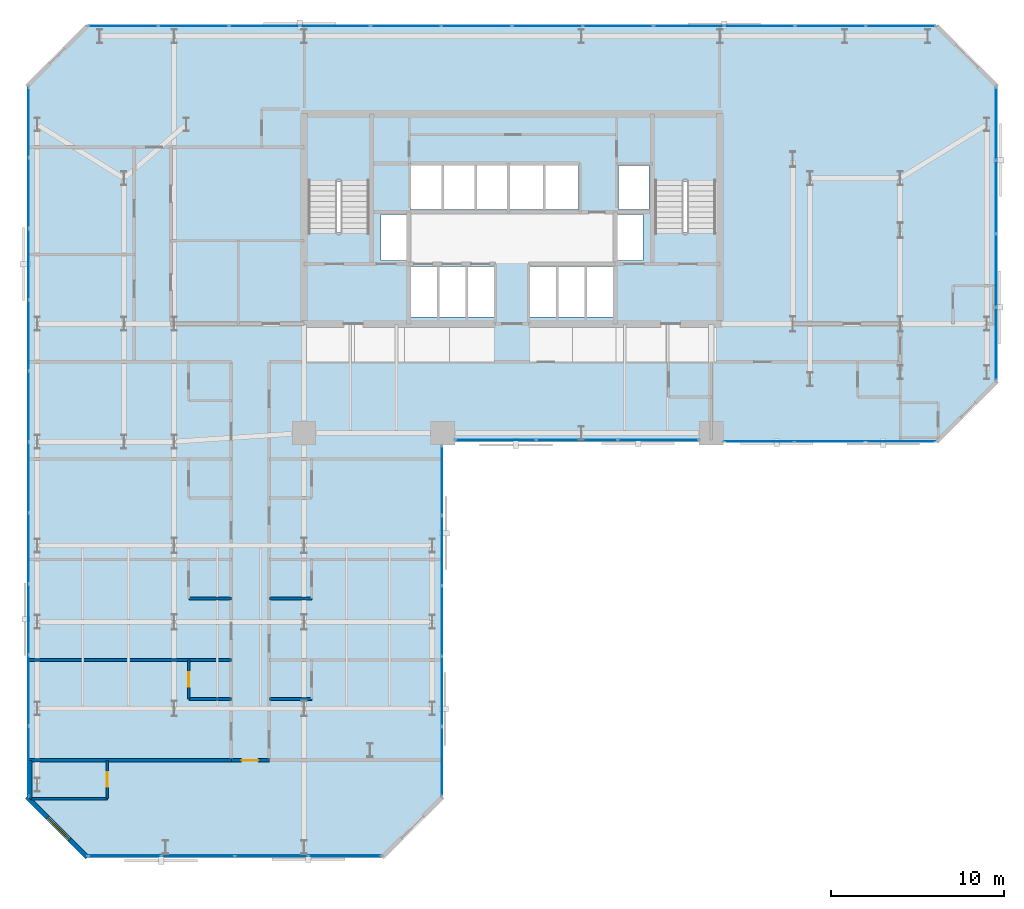
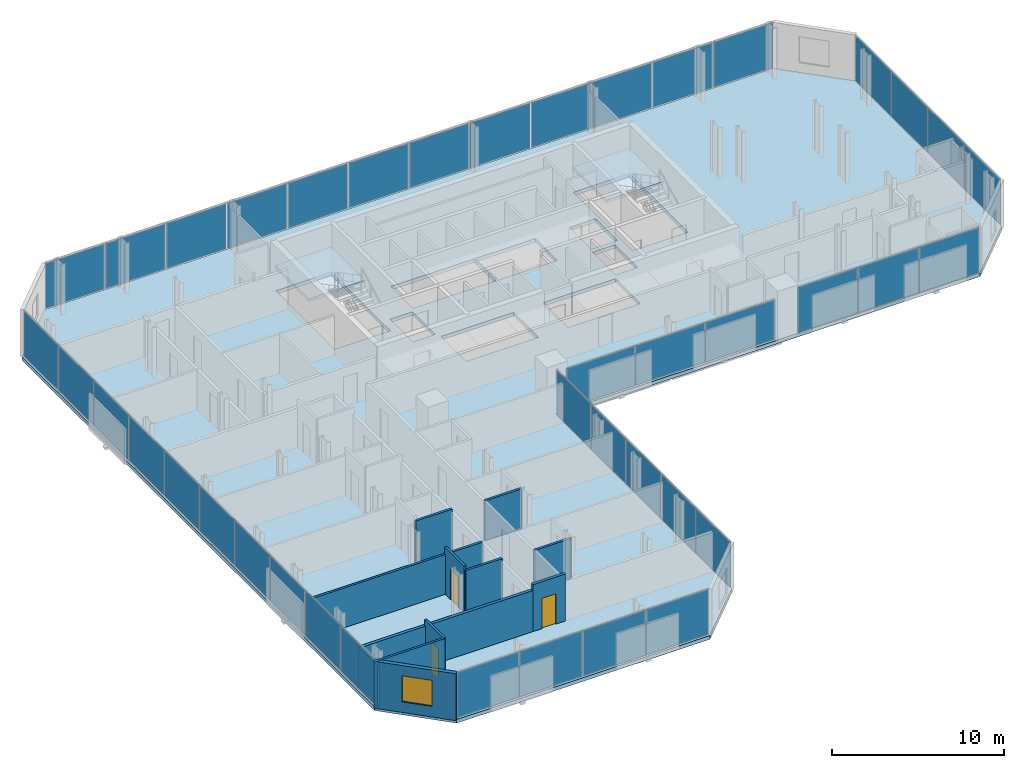
# One storey, part 28 of 33: 41 plates, 12 walls, 3 doors, 3 slabs, 1 window, 4 openings, 9 elements without a shape of their own.
"""IFC4 building model written with IfcOpenShell, lengths in metres."""

from ifc_helpers import new_model, si_unit, direction, frame, frame_2d, origin, origin_2d, place, context, subcontext, project, spatial, polyline, rectangle, outline, extrude, material, layer, layer_set, type_object, element, fill, aggregate, save


model = new_model("IFC4")

# Units and contexts
model_context = context("Model", 3, precision=1e-05, world=origin(), true_north=direction((0.0, 1.0)))
body_context = subcontext(model_context, "Body", "Model", "MODEL_VIEW")
ifc_project = project(units=[si_unit("LENGTHUNIT", "METRE"), si_unit("AREAUNIT", "SQUARE_METRE"), si_unit("VOLUMEUNIT", "CUBIC_METRE"), si_unit("PLANEANGLEUNIT", "RADIAN"), si_unit("MASSUNIT", "GRAM", prefix="KILO")], contexts=[model_context])

# Site, building, storey
site_placement = place(None, origin())
site = spatial("IfcSite", under=ifc_project, at=site_placement, CompositionType="ELEMENT")
building_placement = place(site_placement, origin())
building = spatial("IfcBuilding", under=site, at=building_placement, Name="Catumbela Crestline Tower", CompositionType="ELEMENT")
storey_placement = place(building_placement, frame((0.0, 0.0, 72.6)))
storey = spatial("IfcBuildingStorey", under=building, at=storey_placement, Name="L18", CompositionType="ELEMENT", Elevation=72.6)

# Curtain wall, plates
ifc_material_1 = material(Name="Aluminium alloy AW-6060-T66", Category="aluminium")
ifc_layer_1 = layer(ifc_material_1, 0.18, Name="Aluminium alloy AW-6060-T66")
ifc_layer_set_1 = layer_set([ifc_layer_1], Name="Aluminium alloy AW-6060-T66")
curtain_wall_type = type_object("IfcCurtainWallType", Name="CWU-Z1", PredefinedType="USERDEFINED", material=ifc_layer_set_1)
curtain_wall_1_placement = place(storey_placement, origin())
curtain_wall_1 = element("IfcCurtainWall", 1, at=curtain_wall_1_placement, inside=storey, type_object=curtain_wall_type, Name="L18 Unitised Curtain Wall CW-L18-E0S1", ObjectType="UNITISED", PredefinedType="USERDEFINED")
ifc_material_2 = material(Name="Low-E laminated solar-control double glazing", Category="glass")
ifc_layer_2 = layer(ifc_material_2, 0.034, Name="Low-E laminated solar-control double glazing")
ifc_layer_set_2 = layer_set([ifc_layer_2], Name="Low-E laminated solar-control double glazing")
plate_type = type_object("IfcPlateType", Name="PNL-GLZ-Z1", PredefinedType="CURTAIN_PANEL", material=ifc_layer_set_2)
plate_1_placement = place(storey_placement, frame((5.6412, 0.1, 0.06), z_axis=(0.0, 0.0, 1.0), x_axis=(1.0, 0.0, 0.0)))
plate_1 = element("IfcPlate", 2, at=plate_1_placement, type_object=plate_type, Name="CWU-Z1 panel 1.1", PredefinedType="CURTAIN_PANEL", context=body_context, shape_type="SweptSolid", body=[
    extrude(rectangle(XDim=4.1525, YDim=0.034, at=origin_2d()), origin(), (0.0, 0.0, 1.0), 3.21),
])
plate_2_placement = place(storey_placement, frame((9.875, 0.1, 0.06), z_axis=(0.0, 0.0, 1.0), x_axis=(1.0, 0.0, 0.0)))
plate_2 = element("IfcPlate", 3, at=plate_2_placement, type_object=plate_type, Name="CWU-Z1 panel 2.1", PredefinedType="CURTAIN_PANEL", context=body_context, shape_type="SweptSolid", body=[
    extrude(rectangle(XDim=4.185, YDim=0.034, at=origin_2d()), origin(), (0.0, 0.0, 1.0), 3.21),
])
plate_3_placement = place(storey_placement, frame((14.125, 0.1, 0.06), z_axis=(0.0, 0.0, 1.0), x_axis=(1.0, 0.0, 0.0)))
plate_3 = element("IfcPlate", 4, at=plate_3_placement, type_object=plate_type, Name="CWU-Z1 panel 3.1", PredefinedType="CURTAIN_PANEL", context=body_context, shape_type="SweptSolid", body=[
    extrude(rectangle(XDim=4.185, YDim=0.034, at=origin_2d()), origin(), (0.0, 0.0, 1.0), 3.21),
])
plate_4_placement = place(storey_placement, frame((18.3588, 0.1, 0.06), z_axis=(0.0, 0.0, 1.0), x_axis=(1.0, 0.0, 0.0)))
plate_4 = element("IfcPlate", 5, at=plate_4_placement, type_object=plate_type, Name="CWU-Z1 panel 4.1", PredefinedType="CURTAIN_PANEL", context=body_context, shape_type="SweptSolid", body=[
    extrude(rectangle(XDim=4.1525, YDim=0.034, at=origin_2d()), origin(), (0.0, 0.0, 1.0), 3.21),
])
aggregate(curtain_wall_1, [plate_1, plate_2, plate_3, plate_4])

curtain_wall_2_placement = place(storey_placement, origin())
curtain_wall_2 = element("IfcCurtainWall", 6, at=curtain_wall_2_placement, inside=storey, type_object=curtain_wall_type, Name="L18 Unitised Curtain Wall CW-L18-E2S1", ObjectType="UNITISED", PredefinedType="USERDEFINED")
plate_5_placement = place(storey_placement, frame((23.95, 5.5462, 0.06), z_axis=(0.0, 0.0, 1.0), x_axis=(0.0, 1.0, 0.0)))
plate_5 = element("IfcPlate", 7, at=plate_5_placement, type_object=plate_type, Name="CWU-Z1 panel 1.1", PredefinedType="CURTAIN_PANEL", context=body_context, shape_type="SweptSolid", body=[
    extrude(rectangle(XDim=3.9625, YDim=0.034, at=origin_2d()), origin(), (0.0, 0.0, 1.0), 3.21),
])
plate_6_placement = place(storey_placement, frame((23.95, 9.59, 0.06), z_axis=(0.0, 0.0, 1.0), x_axis=(0.0, 1.0, 0.0)))
plate_6 = element("IfcPlate", 8, at=plate_6_placement, type_object=plate_type, Name="CWU-Z1 panel 2.1", PredefinedType="CURTAIN_PANEL", context=body_context, shape_type="SweptSolid", body=[
    extrude(rectangle(XDim=3.995, YDim=0.034, at=origin_2d()), origin(), (0.0, 0.0, 1.0), 3.21),
])
plate_7_placement = place(storey_placement, frame((23.95, 13.65, 0.06), z_axis=(0.0, 0.0, 1.0), x_axis=(0.0, 1.0, 0.0)))
plate_7 = element("IfcPlate", 9, at=plate_7_placement, type_object=plate_type, Name="CWU-Z1 panel 3.1", PredefinedType="CURTAIN_PANEL", context=body_context, shape_type="SweptSolid", body=[
    extrude(rectangle(XDim=3.995, YDim=0.034, at=origin_2d()), origin(), (0.0, 0.0, 1.0), 3.21),
])
plate_8_placement = place(storey_placement, frame((23.95, 17.71, 0.06), z_axis=(0.0, 0.0, 1.0), x_axis=(0.0, 1.0, 0.0)))
plate_8 = element("IfcPlate", 10, at=plate_8_placement, type_object=plate_type, Name="CWU-Z1 panel 4.1", PredefinedType="CURTAIN_PANEL", context=body_context, shape_type="SweptSolid", body=[
    extrude(rectangle(XDim=3.995, YDim=0.034, at=origin_2d()), origin(), (0.0, 0.0, 1.0), 3.21),
])
plate_9_placement = place(storey_placement, frame((23.95, 21.7538, 0.06), z_axis=(0.0, 0.0, 1.0), x_axis=(0.0, 1.0, 0.0)))
plate_9 = element("IfcPlate", 11, at=plate_9_placement, type_object=plate_type, Name="CWU-Z1 panel 5.1", PredefinedType="CURTAIN_PANEL", context=body_context, shape_type="SweptSolid", body=[
    extrude(rectangle(XDim=3.9625, YDim=0.034, at=origin_2d()), origin(), (0.0, 0.0, 1.0), 3.21),
])
aggregate(curtain_wall_2, [plate_5, plate_6, plate_7, plate_8, plate_9])

curtain_wall_3_placement = place(storey_placement, origin())
curtain_wall_3 = element("IfcCurtainWall", 12, at=curtain_wall_3_placement, inside=storey, type_object=curtain_wall_type, Name="L18 Unitised Curtain Wall CW-L18-E3S1", ObjectType="UNITISED", PredefinedType="USERDEFINED")
plate_10_placement = place(storey_placement, frame((27.0662, 24.1, 0.06), z_axis=(0.0, 0.0, 1.0), x_axis=(1.0, 0.0, 0.0)))
plate_10 = element("IfcPlate", 13, at=plate_10_placement, type_object=plate_type, Name="CWU-Z1 panel 1.1", PredefinedType="CURTAIN_PANEL", context=body_context, shape_type="SweptSolid", body=[
    extrude(rectangle(XDim=4.6025, YDim=0.034, at=origin_2d()), origin(), (0.0, 0.0, 1.0), 2.8),
])
plate_11_placement = place(storey_placement, frame((31.75, 24.1, 0.06), z_axis=(0.0, 0.0, 1.0), x_axis=(1.0, 0.0, 0.0)))
plate_11 = element("IfcPlate", 14, at=plate_11_placement, type_object=plate_type, Name="CWU-Z1 panel 2.1", PredefinedType="CURTAIN_PANEL", context=body_context, shape_type="SweptSolid", body=[
    extrude(rectangle(XDim=4.635, YDim=0.034, at=origin_2d()), origin(), (0.0, 0.0, 1.0), 2.8),
])
plate_12_placement = place(storey_placement, frame((36.4338, 24.1, 0.06), z_axis=(0.0, 0.0, 1.0), x_axis=(1.0, 0.0, 0.0)))
plate_12 = element("IfcPlate", 15, at=plate_12_placement, type_object=plate_type, Name="CWU-Z1 panel 3.1", PredefinedType="CURTAIN_PANEL", context=body_context, shape_type="SweptSolid", body=[
    extrude(rectangle(XDim=4.6025, YDim=0.034, at=origin_2d()), origin(), (0.0, 0.0, 1.0), 2.8),
])
aggregate(curtain_wall_3, [plate_10, plate_11, plate_12])

curtain_wall_4_placement = place(storey_placement, origin())
curtain_wall_4 = element("IfcCurtainWall", 16, at=curtain_wall_4_placement, inside=storey, type_object=curtain_wall_type, Name="L18 Unitised Curtain Wall CW-L18-E3S2", ObjectType="UNITISED", PredefinedType="USERDEFINED")
plate_13_placement = place(storey_placement, frame((42.2662, 24.0, 0.06), z_axis=(0.0, 0.0, 1.0), x_axis=(1.0, 0.0, 0.0)))
plate_13 = element("IfcPlate", 17, at=plate_13_placement, type_object=plate_type, Name="CWU-Z1 panel 1.1", PredefinedType="CURTAIN_PANEL", context=body_context, shape_type="SweptSolid", body=[
    extrude(rectangle(XDim=4.0025, YDim=0.034, at=origin_2d()), origin(), (0.0, 0.0, 1.0), 3.21),
])
plate_14_placement = place(storey_placement, frame((46.35, 24.0, 0.06), z_axis=(0.0, 0.0, 1.0), x_axis=(1.0, 0.0, 0.0)))
plate_14 = element("IfcPlate", 18, at=plate_14_placement, type_object=plate_type, Name="CWU-Z1 panel 2.1", PredefinedType="CURTAIN_PANEL", context=body_context, shape_type="SweptSolid", body=[
    extrude(rectangle(XDim=4.035, YDim=0.034, at=origin_2d()), origin(), (0.0, 0.0, 1.0), 3.21),
])
plate_15_placement = place(storey_placement, frame((50.4338, 24.0, 0.06), z_axis=(0.0, 0.0, 1.0), x_axis=(1.0, 0.0, 0.0)))
plate_15 = element("IfcPlate", 19, at=plate_15_placement, type_object=plate_type, Name="CWU-Z1 panel 3.1", PredefinedType="CURTAIN_PANEL", context=body_context, shape_type="SweptSolid", body=[
    extrude(rectangle(XDim=4.0025, YDim=0.034, at=origin_2d()), origin(), (0.0, 0.0, 1.0), 3.21),
])
aggregate(curtain_wall_4, [plate_13, plate_14, plate_15])

curtain_wall_5_placement = place(storey_placement, origin())
curtain_wall_5 = element("IfcCurtainWall", 20, at=curtain_wall_5_placement, inside=storey, type_object=curtain_wall_type, Name="L18 Unitised Curtain Wall CW-L18-E5S1", ObjectType="UNITISED", PredefinedType="USERDEFINED")
plate_16_placement = place(storey_placement, frame((55.95, 29.6412, 0.06), z_axis=(0.0, 0.0, 1.0), x_axis=(0.0, 1.0, 0.0)))
plate_16 = element("IfcPlate", 21, at=plate_16_placement, type_object=plate_type, Name="CWU-Z1 panel 1.1", PredefinedType="CURTAIN_PANEL", context=body_context, shape_type="SweptSolid", body=[
    extrude(rectangle(XDim=4.1525, YDim=0.034, at=origin_2d()), origin(), (0.0, 0.0, 1.0), 3.21),
])
plate_17_placement = place(storey_placement, frame((55.95, 33.875, 0.06), z_axis=(0.0, 0.0, 1.0), x_axis=(0.0, 1.0, 0.0)))
plate_17 = element("IfcPlate", 22, at=plate_17_placement, type_object=plate_type, Name="CWU-Z1 panel 2.1", PredefinedType="CURTAIN_PANEL", context=body_context, shape_type="SweptSolid", body=[
    extrude(rectangle(XDim=4.185, YDim=0.034, at=origin_2d()), origin(), (0.0, 0.0, 1.0), 3.21),
])
plate_18_placement = place(storey_placement, frame((55.95, 38.125, 0.06), z_axis=(0.0, 0.0, 1.0), x_axis=(0.0, 1.0, 0.0)))
plate_18 = element("IfcPlate", 23, at=plate_18_placement, type_object=plate_type, Name="CWU-Z1 panel 3.1", PredefinedType="CURTAIN_PANEL", context=body_context, shape_type="SweptSolid", body=[
    extrude(rectangle(XDim=4.185, YDim=0.034, at=origin_2d()), origin(), (0.0, 0.0, 1.0), 3.21),
])
plate_19_placement = place(storey_placement, frame((55.95, 42.3588, 0.06), z_axis=(0.0, 0.0, 1.0), x_axis=(0.0, 1.0, 0.0)))
plate_19 = element("IfcPlate", 24, at=plate_19_placement, type_object=plate_type, Name="CWU-Z1 panel 4.1", PredefinedType="CURTAIN_PANEL", context=body_context, shape_type="SweptSolid", body=[
    extrude(rectangle(XDim=4.1525, YDim=0.034, at=origin_2d()), origin(), (0.0, 0.0, 1.0), 3.21),
])
aggregate(curtain_wall_5, [plate_16, plate_17, plate_18, plate_19])

curtain_wall_6_placement = place(storey_placement, origin())
curtain_wall_6 = element("IfcCurtainWall", 25, at=curtain_wall_6_placement, inside=storey, type_object=curtain_wall_type, Name="L18 Unitised Curtain Wall CW-L18-E7S1", ObjectType="UNITISED", PredefinedType="USERDEFINED")
plate_20_placement = place(storey_placement, frame((50.4421, 48.0, 0.06), z_axis=(0.0, 0.0, 1.0), x_axis=(-1.0, 0.0, 0.0)))
plate_20 = element("IfcPlate", 26, at=plate_20_placement, type_object=plate_type, Name="CWU-Z1 panel 1.1", PredefinedType="CURTAIN_PANEL", context=body_context, shape_type="SweptSolid", body=[
    extrude(rectangle(XDim=3.9858, YDim=0.034, at=origin_2d()), origin(), (0.0, 0.0, 1.0), 3.21),
])
plate_21_placement = place(storey_placement, frame((46.375, 48.0, 0.06), z_axis=(0.0, 0.0, 1.0), x_axis=(-1.0, 0.0, 0.0)))
plate_21 = element("IfcPlate", 27, at=plate_21_placement, type_object=plate_type, Name="CWU-Z1 panel 2.1", PredefinedType="CURTAIN_PANEL", context=body_context, shape_type="SweptSolid", body=[
    extrude(rectangle(XDim=4.0183, YDim=0.034, at=origin_2d()), origin(), (0.0, 0.0, 1.0), 3.21),
])
plate_22_placement = place(storey_placement, frame((42.2917, 48.0, 0.06), z_axis=(0.0, 0.0, 1.0), x_axis=(-1.0, 0.0, 0.0)))
plate_22 = element("IfcPlate", 28, at=plate_22_placement, type_object=plate_type, Name="CWU-Z1 panel 3.1", PredefinedType="CURTAIN_PANEL", context=body_context, shape_type="SweptSolid", body=[
    extrude(rectangle(XDim=4.0183, YDim=0.034, at=origin_2d()), origin(), (0.0, 0.0, 1.0), 3.21),
])
plate_23_placement = place(storey_placement, frame((38.2083, 48.0, 0.06), z_axis=(0.0, 0.0, 1.0), x_axis=(-1.0, 0.0, 0.0)))
plate_23 = element("IfcPlate", 29, at=plate_23_placement, type_object=plate_type, Name="CWU-Z1 panel 4.1", PredefinedType="CURTAIN_PANEL", context=body_context, shape_type="SweptSolid", body=[
    extrude(rectangle(XDim=4.0183, YDim=0.034, at=origin_2d()), origin(), (0.0, 0.0, 1.0), 3.21),
])
plate_24_placement = place(storey_placement, frame((34.125, 48.0, 0.06), z_axis=(0.0, 0.0, 1.0), x_axis=(-1.0, 0.0, 0.0)))
plate_24 = element("IfcPlate", 30, at=plate_24_placement, type_object=plate_type, Name="CWU-Z1 panel 5.1", PredefinedType="CURTAIN_PANEL", context=body_context, shape_type="SweptSolid", body=[
    extrude(rectangle(XDim=4.0183, YDim=0.034, at=origin_2d()), origin(), (0.0, 0.0, 1.0), 3.21),
])
plate_25_placement = place(storey_placement, frame((30.0417, 48.0, 0.06), z_axis=(0.0, 0.0, 1.0), x_axis=(-1.0, 0.0, 0.0)))
plate_25 = element("IfcPlate", 31, at=plate_25_placement, type_object=plate_type, Name="CWU-Z1 panel 6.1", PredefinedType="CURTAIN_PANEL", context=body_context, shape_type="SweptSolid", body=[
    extrude(rectangle(XDim=4.0183, YDim=0.034, at=origin_2d()), origin(), (0.0, 0.0, 1.0), 3.21),
])
plate_26_placement = place(storey_placement, frame((25.9583, 48.0, 0.06), z_axis=(0.0, 0.0, 1.0), x_axis=(-1.0, 0.0, 0.0)))
plate_26 = element("IfcPlate", 32, at=plate_26_placement, type_object=plate_type, Name="CWU-Z1 panel 7.1", PredefinedType="CURTAIN_PANEL", context=body_context, shape_type="SweptSolid", body=[
    extrude(rectangle(XDim=4.0183, YDim=0.034, at=origin_2d()), origin(), (0.0, 0.0, 1.0), 3.21),
])
plate_27_placement = place(storey_placement, frame((21.875, 48.0, 0.06), z_axis=(0.0, 0.0, 1.0), x_axis=(-1.0, 0.0, 0.0)))
plate_27 = element("IfcPlate", 33, at=plate_27_placement, type_object=plate_type, Name="CWU-Z1 panel 8.1", PredefinedType="CURTAIN_PANEL", context=body_context, shape_type="SweptSolid", body=[
    extrude(rectangle(XDim=4.0183, YDim=0.034, at=origin_2d()), origin(), (0.0, 0.0, 1.0), 3.21),
])
plate_28_placement = place(storey_placement, frame((17.7917, 48.0, 0.06), z_axis=(0.0, 0.0, 1.0), x_axis=(-1.0, 0.0, 0.0)))
plate_28 = element("IfcPlate", 34, at=plate_28_placement, type_object=plate_type, Name="CWU-Z1 panel 9.1", PredefinedType="CURTAIN_PANEL", context=body_context, shape_type="SweptSolid", body=[
    extrude(rectangle(XDim=4.0183, YDim=0.034, at=origin_2d()), origin(), (0.0, 0.0, 1.0), 3.21),
])
plate_29_placement = place(storey_placement, frame((13.7083, 48.0, 0.06), z_axis=(0.0, 0.0, 1.0), x_axis=(-1.0, 0.0, 0.0)))
plate_29 = element("IfcPlate", 35, at=plate_29_placement, type_object=plate_type, Name="CWU-Z1 panel 10.1", PredefinedType="CURTAIN_PANEL", context=body_context, shape_type="SweptSolid", body=[
    extrude(rectangle(XDim=4.0183, YDim=0.034, at=origin_2d()), origin(), (0.0, 0.0, 1.0), 3.21),
])
plate_30_placement = place(storey_placement, frame((9.625, 48.0, 0.06), z_axis=(0.0, 0.0, 1.0), x_axis=(-1.0, 0.0, 0.0)))
plate_30 = element("IfcPlate", 36, at=plate_30_placement, type_object=plate_type, Name="CWU-Z1 panel 11.1", PredefinedType="CURTAIN_PANEL", context=body_context, shape_type="SweptSolid", body=[
    extrude(rectangle(XDim=4.0183, YDim=0.034, at=origin_2d()), origin(), (0.0, 0.0, 1.0), 3.21),
])
plate_31_placement = place(storey_placement, frame((5.5579, 48.0, 0.06), z_axis=(0.0, 0.0, 1.0), x_axis=(-1.0, 0.0, 0.0)))
plate_31 = element("IfcPlate", 37, at=plate_31_placement, type_object=plate_type, Name="CWU-Z1 panel 12.1", PredefinedType="CURTAIN_PANEL", context=body_context, shape_type="SweptSolid", body=[
    extrude(rectangle(XDim=3.9858, YDim=0.034, at=origin_2d()), origin(), (0.0, 0.0, 1.0), 3.21),
])
aggregate(curtain_wall_6, [plate_20, plate_21, plate_22, plate_23, plate_24, plate_25, plate_26, plate_27, plate_28, plate_29, plate_30, plate_31])

curtain_wall_7_placement = place(storey_placement, origin())
curtain_wall_7 = element("IfcCurtainWall", 38, at=curtain_wall_7_placement, inside=storey, type_object=curtain_wall_type, Name="L18 Unitised Curtain Wall CW-L18-E9S1", ObjectType="UNITISED", PredefinedType="USERDEFINED")
plate_32_placement = place(storey_placement, frame((0.1, 42.4338, 0.06), z_axis=(0.0, 0.0, 1.0), x_axis=(0.0, -1.0, 0.0)))
plate_32 = element("IfcPlate", 39, at=plate_32_placement, type_object=plate_type, Name="CWU-Z1 panel 1.1", PredefinedType="CURTAIN_PANEL", context=body_context, shape_type="SweptSolid", body=[
    extrude(rectangle(XDim=4.0025, YDim=0.034, at=origin_2d()), origin(), (0.0, 0.0, 1.0), 3.21),
])
plate_33_placement = place(storey_placement, frame((0.1, 38.35, 0.06), z_axis=(0.0, 0.0, 1.0), x_axis=(0.0, -1.0, 0.0)))
plate_33 = element("IfcPlate", 40, at=plate_33_placement, type_object=plate_type, Name="CWU-Z1 panel 2.1", PredefinedType="CURTAIN_PANEL", context=body_context, shape_type="SweptSolid", body=[
    extrude(rectangle(XDim=4.035, YDim=0.034, at=origin_2d()), origin(), (0.0, 0.0, 1.0), 3.21),
])
plate_34_placement = place(storey_placement, frame((0.1, 34.25, 0.06), z_axis=(0.0, 0.0, 1.0), x_axis=(0.0, -1.0, 0.0)))
plate_34 = element("IfcPlate", 41, at=plate_34_placement, type_object=plate_type, Name="CWU-Z1 panel 3.1", PredefinedType="CURTAIN_PANEL", context=body_context, shape_type="SweptSolid", body=[
    extrude(rectangle(XDim=4.035, YDim=0.034, at=origin_2d()), origin(), (0.0, 0.0, 1.0), 3.21),
])
plate_35_placement = place(storey_placement, frame((0.1, 30.15, 0.06), z_axis=(0.0, 0.0, 1.0), x_axis=(0.0, -1.0, 0.0)))
plate_35 = element("IfcPlate", 42, at=plate_35_placement, type_object=plate_type, Name="CWU-Z1 panel 4.1", PredefinedType="CURTAIN_PANEL", context=body_context, shape_type="SweptSolid", body=[
    extrude(rectangle(XDim=4.035, YDim=0.034, at=origin_2d()), origin(), (0.0, 0.0, 1.0), 3.21),
])
plate_36_placement = place(storey_placement, frame((0.1, 26.05, 0.06), z_axis=(0.0, 0.0, 1.0), x_axis=(0.0, -1.0, 0.0)))
plate_36 = element("IfcPlate", 43, at=plate_36_placement, type_object=plate_type, Name="CWU-Z1 panel 5.1", PredefinedType="CURTAIN_PANEL", context=body_context, shape_type="SweptSolid", body=[
    extrude(rectangle(XDim=4.035, YDim=0.034, at=origin_2d()), origin(), (0.0, 0.0, 1.0), 3.21),
])
plate_37_placement = place(storey_placement, frame((0.1, 21.95, 0.06), z_axis=(0.0, 0.0, 1.0), x_axis=(0.0, -1.0, 0.0)))
plate_37 = element("IfcPlate", 44, at=plate_37_placement, type_object=plate_type, Name="CWU-Z1 panel 6.1", PredefinedType="CURTAIN_PANEL", context=body_context, shape_type="SweptSolid", body=[
    extrude(rectangle(XDim=4.035, YDim=0.034, at=origin_2d()), origin(), (0.0, 0.0, 1.0), 3.21),
])
plate_38_placement = place(storey_placement, frame((0.1, 17.85, 0.06), z_axis=(0.0, 0.0, 1.0), x_axis=(0.0, -1.0, 0.0)))
plate_38 = element("IfcPlate", 45, at=plate_38_placement, type_object=plate_type, Name="CWU-Z1 panel 7.1", PredefinedType="CURTAIN_PANEL", context=body_context, shape_type="SweptSolid", body=[
    extrude(rectangle(XDim=4.035, YDim=0.034, at=origin_2d()), origin(), (0.0, 0.0, 1.0), 3.21),
])
plate_39_placement = place(storey_placement, frame((0.1, 13.75, 0.06), z_axis=(0.0, 0.0, 1.0), x_axis=(0.0, -1.0, 0.0)))
plate_39 = element("IfcPlate", 46, at=plate_39_placement, type_object=plate_type, Name="CWU-Z1 panel 8.1", PredefinedType="CURTAIN_PANEL", context=body_context, shape_type="SweptSolid", body=[
    extrude(rectangle(XDim=4.035, YDim=0.034, at=origin_2d()), origin(), (0.0, 0.0, 1.0), 3.21),
])
plate_40_placement = place(storey_placement, frame((0.1, 9.65, 0.06), z_axis=(0.0, 0.0, 1.0), x_axis=(0.0, -1.0, 0.0)))
plate_40 = element("IfcPlate", 47, at=plate_40_placement, type_object=plate_type, Name="CWU-Z1 panel 9.1", PredefinedType="CURTAIN_PANEL", context=body_context, shape_type="SweptSolid", body=[
    extrude(rectangle(XDim=4.035, YDim=0.034, at=origin_2d()), origin(), (0.0, 0.0, 1.0), 3.21),
])
plate_41_placement = place(storey_placement, frame((0.1, 5.5662, 0.06), z_axis=(0.0, 0.0, 1.0), x_axis=(0.0, -1.0, 0.0)))
plate_41 = element("IfcPlate", 48, at=plate_41_placement, type_object=plate_type, Name="CWU-Z1 panel 10.1", PredefinedType="CURTAIN_PANEL", context=body_context, shape_type="SweptSolid", body=[
    extrude(rectangle(XDim=4.0025, YDim=0.034, at=origin_2d()), origin(), (0.0, 0.0, 1.0), 3.21),
])
aggregate(curtain_wall_7, [plate_32, plate_33, plate_34, plate_35, plate_36, plate_37, plate_38, plate_39, plate_40, plate_41])

# Stair, slab
ifc_material_3 = material(Name="Concrete C45/55", Category="concrete")
stair_type = type_object("IfcStairType", Name="ST-DLG", PredefinedType="HALF_TURN_STAIR", material=ifc_material_3)
stair_1_placement = place(storey_placement, origin())
stair_1 = element("IfcStair", 49, at=stair_1_placement, inside=storey, type_object=stair_type, Name="L18 West Core Pressurised Exit Stair ST-01", PredefinedType="HALF_TURN_STAIR")
ifc_layer_3 = layer(ifc_material_3, 0.2, Name="Concrete C45/55")
ifc_layer_set_3 = layer_set([ifc_layer_3], Name="Concrete C45/55")
slab_type_1 = type_object("IfcSlabType", Name="SL-LND", PredefinedType="LANDING", material=ifc_layer_set_3)
slab_1_placement = place(storey_placement, frame((0.0, 0.0, 1.6)))
slab_1 = element("IfcSlab", 50, at=slab_1_placement, type_object=slab_type_1, Name="ST-01 landing 1", PredefinedType="LANDING", context=body_context, shape_type="SweptSolid", body=[
    extrude(outline(polyline([(19.91, 39.02), (19.91, 42.96), (16.09, 42.96), (16.09, 39.02), (19.91, 39.02)])), origin(), (0.0, 0.0, 1.0), 0.2),
])
aggregate(stair_1, [slab_1])

stair_2_placement = place(storey_placement, origin())
stair_2 = element("IfcStair", 51, at=stair_2_placement, inside=storey, type_object=stair_type, Name="L18 East Core Pressurised Exit Stair ST-02", PredefinedType="HALF_TURN_STAIR")
slab_2_placement = place(storey_placement, frame((0.0, 0.0, 1.6)))
slab_2 = element("IfcSlab", 52, at=slab_2_placement, type_object=slab_type_1, Name="ST-02 landing 1", PredefinedType="LANDING", context=body_context, shape_type="SweptSolid", body=[
    extrude(outline(polyline([(39.91, 39.02), (39.91, 42.96), (36.09, 42.96), (36.09, 39.02), (39.91, 39.02)])), origin(), (0.0, 0.0, 1.0), 0.2),
])
aggregate(stair_2, [slab_2])

# Slab
ifc_layer_4 = layer(ifc_material_3, 0.26, Name="Concrete C45/55")
ifc_layer_set_4 = layer_set([ifc_layer_4], Name="Concrete C45/55")
slab_type_2 = type_object("IfcSlabType", Name="SL-260", PredefinedType="FLOOR", material=ifc_layer_set_4)
slab_3_placement = place(storey_placement, frame((0.0, 0.0, -0.26)))
element("IfcSlab", 53, at=slab_3_placement, inside=storey, type_object=slab_type_2, Name="L18 Structural Floor Slab", PredefinedType="FLOOR", context=body_context, shape_type="SweptSolid", body=[
    extrude(outline(polyline([(3.5, 0.0), (20.5, 0.0), (24.0, 3.5), (24.0, 24.0), (52.5, 24.0), (56.0, 27.5), (56.0, 44.5), (52.5, 48.0), (3.5, 48.0), (0.0, 44.5), (0.0, 3.5), (3.5, 0.0)]), holes=[polyline([(16.13, 36.08), (19.87, 36.08), (19.87, 42.92), (16.13, 42.92), (16.13, 36.08)]), polyline([(36.13, 36.08), (39.87, 36.08), (39.87, 42.92), (36.13, 42.92), (36.13, 36.08)]), polyline([(22.15, 31.2), (27.0, 31.2), (27.0, 34.1), (22.15, 34.1), (22.15, 31.2)]), polyline([(29.0, 31.2), (33.85, 31.2), (33.85, 34.1), (29.0, 34.1), (29.0, 31.2)]), polyline([(22.15, 37.4), (27.75, 37.4), (27.75, 39.95), (22.15, 39.95), (22.15, 37.4)]), polyline([(27.85, 37.4), (31.85, 37.4), (31.85, 39.95), (27.85, 39.95), (27.85, 37.4)]), polyline([(20.45, 34.45), (21.95, 34.45), (21.95, 37.1), (20.45, 37.1), (20.45, 34.45)]), polyline([(34.05, 34.45), (35.55, 34.45), (35.55, 37.1), (34.05, 37.1), (34.05, 34.45)]), polyline([(34.15, 37.4), (35.9, 37.4), (35.9, 39.95), (34.15, 39.95), (34.15, 37.4)])]), origin(), (0.0, 0.0, 1.0), 0.26),
])

# Wall, opening, door
ifc_material_4 = material(Name="Acoustic gypsum and mineral-wool partition")
ifc_layer_5 = layer(ifc_material_4, 0.2, Name="Acoustic gypsum and mineral-wool partition")
ifc_layer_set_5 = layer_set([ifc_layer_5], Name="Acoustic gypsum and mineral-wool partition")
wall_type_1 = type_object("IfcWallType", Name="WC-200", PredefinedType="PARTITIONING", material=ifc_layer_set_5)
wall_1_placement = place(storey_placement, frame((11.8, 5.6, 0.0), z_axis=(0.0, 0.0, 1.0), x_axis=(1.0, 0.0, 0.0)))
wall_1 = element("IfcWall", 54, at=wall_1_placement, inside=storey, type_object=wall_type_1, Name="L18 Interior Partition PW-L18-WTIP-ENT", PredefinedType="PARTITIONING", context=body_context, shape_type="SweptSolid", body=[
    extrude(rectangle(XDim=2.2, YDim=0.2, at=frame_2d((1.1, 0.0))), origin(), (0.0, 0.0, 1.0), 3.33),
])
opening_1_placement = place(wall_1_placement, frame((0.5925, 0.0, 0.0)))
opening_1 = element("IfcOpeningElement", 55, at=opening_1_placement, cuts=wall_1, Name="Opening DF6-095", PredefinedType="OPENING", context=body_context, shape_type="SweptSolid", body=[
    extrude(rectangle(XDim=0.95, YDim=2.15, at=frame_2d((0.475, 1.075))), frame((0.0, 0.11, 0.0), z_axis=(0.0, -1.0, 0.0), x_axis=(1.0, 0.0, 0.0)), (0.0, 0.0, 1.0), 0.22),
])
door_type_1 = type_object("IfcDoorType", Name="DF6-095", OperationType="NOTDEFINED", PredefinedType="DOOR", material=ifc_material_1)
door_1_placement = place(opening_1_placement, origin())
door_1 = element("IfcDoor", 56, at=door_1_placement, inside=storey, type_object=door_type_1, Name="L18 Interior Door DR-L18-WTIP-ENT", OperationType="SINGLE_SWING_LEFT", OverallHeight=2.15, OverallWidth=0.95, PredefinedType="DOOR", context=body_context, shape_type="SweptSolid", body=[
    extrude(rectangle(XDim=0.95, YDim=2.15, at=frame_2d((0.475, 1.075))), frame((0.0, 0.025, 0.0), z_axis=(0.0, -1.0, 0.0), x_axis=(1.0, 0.0, 0.0)), (0.0, 0.0, 1.0), 0.05),
])
fill(opening_1, door_1)

# Wall, opening, window
ifc_material_5 = material(Name="Angolan grey-ochre granite", Category="masonry")
ifc_layer_6 = layer(ifc_material_5, 0.25, Name="Angolan grey-ochre granite")
ifc_layer_set_6 = layer_set([ifc_layer_6], Name="Angolan grey-ochre granite")
wall_type_2 = type_object("IfcWallType", Name="WE-250", PredefinedType="STANDARD", material=ifc_layer_set_6)
wall_2_placement = place(storey_placement, frame((0.0, 3.5, 0.0), z_axis=(0.0, 0.0, 1.0), x_axis=(0.707106781187, -0.707106781187, 0.0)))
wall_2 = element("IfcWall", 57, at=wall_2_placement, inside=storey, type_object=wall_type_2, Name="L18 Granite Punched Window Wall 10-1", PredefinedType="STANDARD", context=body_context, shape_type="SweptSolid", body=[
    extrude(rectangle(XDim=4.9497, YDim=0.25, at=frame_2d((2.4748, 0.0))), origin(), (0.0, 0.0, 1.0), 3.33),
])
opening_2_placement = place(wall_2_placement, frame((1.6851, 0.0, 0.75)))
opening_2 = element("IfcOpeningElement", 58, at=opening_2_placement, cuts=wall_2, Name="Opening WN-01", PredefinedType="OPENING", context=body_context, shape_type="SweptSolid", body=[
    extrude(rectangle(XDim=1.8, YDim=1.85, at=frame_2d((0.9, 0.925))), frame((0.0, 0.135, 0.0), z_axis=(0.0, -1.0, 0.0), x_axis=(1.0, 0.0, 0.0)), (0.0, 0.0, 1.0), 0.27),
])
window_type = type_object("IfcWindowType", Name="WF-1800", PartitioningType="SINGLE_PANEL", PredefinedType="WINDOW", material=ifc_material_2)
window_placement = place(opening_2_placement, origin())
window = element("IfcWindow", 59, at=window_placement, inside=storey, type_object=window_type, Name="L18 Facade Vision Window 117", OverallHeight=1.85, OverallWidth=1.8, PartitioningType="SINGLE_PANEL", PredefinedType="WINDOW", context=body_context, shape_type="SweptSolid", body=[
    extrude(rectangle(XDim=1.8, YDim=1.85, at=frame_2d((0.9, 0.925))), frame((0.0, 0.03, 0.0), z_axis=(0.0, -1.0, 0.0), x_axis=(1.0, 0.0, 0.0)), (0.0, 0.0, 1.0), 0.06),
])
fill(opening_2, window)

# Wall
ifc_layer_7 = layer(ifc_material_4, 0.15, Name="Acoustic gypsum and mineral-wool partition")
ifc_layer_set_7 = layer_set([ifc_layer_7], Name="Acoustic gypsum and mineral-wool partition")
wall_type_3 = type_object("IfcWallType", Name="WP-150", PredefinedType="PARTITIONING", material=ifc_layer_set_7)
wall_3_placement = place(storey_placement, frame((0.2, 3.4, 0.0), z_axis=(0.0, 0.0, 1.0), x_axis=(1.0, 0.0, 0.0)))
element("IfcWall", 60, at=wall_3_placement, inside=storey, type_object=wall_type_3, Name="L18 Interior Partition PW-L18-WTIP-BHW", PredefinedType="PARTITIONING", context=body_context, shape_type="SweptSolid", body=[
    extrude(rectangle(XDim=4.45, YDim=0.15, at=frame_2d((2.225, 0.0))), origin(), (0.0, 0.0, 1.0), 3.33),
])

# Wall, opening, door
wall_4_placement = place(storey_placement, frame((4.65, 3.4, 0.0), z_axis=(0.0, 0.0, 1.0), x_axis=(0.0, 1.0, 0.0)))
wall_4 = element("IfcWall", 61, at=wall_4_placement, inside=storey, type_object=wall_type_3, Name="L18 Interior Partition PW-L18-WTIP-BEW", PredefinedType="PARTITIONING", context=body_context, shape_type="SweptSolid", body=[
    extrude(rectangle(XDim=2.2, YDim=0.15, at=frame_2d((1.1, 0.0))), origin(), (0.0, 0.0, 1.0), 3.33),
])
opening_3_placement = place(wall_4_placement, frame((0.675, 0.0, 0.0)))
opening_3 = element("IfcOpeningElement", 62, at=opening_3_placement, cuts=wall_4, Name="Opening DI-085", PredefinedType="OPENING", context=body_context, shape_type="SweptSolid", body=[
    extrude(rectangle(XDim=0.85, YDim=2.15, at=frame_2d((0.425, 1.075))), frame((0.0, 0.085, 0.0), z_axis=(0.0, -1.0, 0.0), x_axis=(1.0, 0.0, 0.0)), (0.0, 0.0, 1.0), 0.17),
])
door_type_2 = type_object("IfcDoorType", Name="DI-085", OperationType="NOTDEFINED", PredefinedType="DOOR", material=ifc_material_1)
door_2_placement = place(opening_3_placement, origin())
door_2 = element("IfcDoor", 63, at=door_2_placement, inside=storey, type_object=door_type_2, Name="L18 Interior Door DR-L18-WTIP-BTH", OperationType="SINGLE_SWING_LEFT", OverallHeight=2.15, OverallWidth=0.85, PredefinedType="DOOR", context=body_context, shape_type="SweptSolid", body=[
    extrude(rectangle(XDim=0.85, YDim=2.15, at=frame_2d((0.425, 1.075))), frame((0.0, 0.025, 0.0), z_axis=(0.0, -1.0, 0.0), x_axis=(1.0, 0.0, 0.0)), (0.0, 0.0, 1.0), 0.05),
])
fill(opening_3, door_2)

# Walls
wall_5_placement = place(storey_placement, frame((0.22, 3.38, 0.0), z_axis=(0.0, 0.0, 1.0), x_axis=(0.0, 1.0, 0.0)))
element("IfcWall", 64, at=wall_5_placement, inside=storey, type_object=wall_type_3, Name="L18 Interior Partition PW-L18-WTIP-BCL-3", PredefinedType="PARTITIONING", context=body_context, shape_type="SweptSolid", body=[
    extrude(rectangle(XDim=2.22, YDim=0.15, at=frame_2d((1.11, 0.0))), origin(), (0.0, 0.0, 1.0), 2.92),
])
wall_6_placement = place(storey_placement, frame((9.35, 9.15, 0.0), z_axis=(0.0, 0.0, 1.0), x_axis=(1.0, 0.0, 0.0)))
element("IfcWall", 65, at=wall_6_placement, inside=storey, type_object=wall_type_3, Name="L18 Interior Partition PW-L18-WL1-BSW", PredefinedType="PARTITIONING", context=body_context, shape_type="SweptSolid", body=[
    extrude(rectangle(XDim=2.45, YDim=0.15, at=frame_2d((1.225, 0.0))), origin(), (0.0, 0.0, 1.0), 3.02),
])

# Wall, opening, door
wall_7_placement = place(storey_placement, frame((9.35, 9.15, 0.0), z_axis=(0.0, 0.0, 1.0), x_axis=(0.0, 1.0, 0.0)))
wall_7 = element("IfcWall", 66, at=wall_7_placement, inside=storey, type_object=wall_type_3, Name="L18 Interior Partition PW-L18-WL1-BWW", PredefinedType="PARTITIONING", context=body_context, shape_type="SweptSolid", body=[
    extrude(rectangle(XDim=2.25, YDim=0.15, at=frame_2d((1.125, 0.0))), origin(), (0.0, 0.0, 1.0), 3.33),
])
opening_4_placement = place(wall_7_placement, frame((0.7, 0.0, 0.0)))
opening_4 = element("IfcOpeningElement", 67, at=opening_4_placement, cuts=wall_7, Name="Opening DI-085", PredefinedType="OPENING", context=body_context, shape_type="SweptSolid", body=[
    extrude(rectangle(XDim=0.85, YDim=2.15, at=frame_2d((0.425, 1.075))), frame((0.0, 0.085, 0.0), z_axis=(0.0, -1.0, 0.0), x_axis=(1.0, 0.0, 0.0)), (0.0, 0.0, 1.0), 0.17),
])
door_3_placement = place(opening_4_placement, origin())
door_3 = element("IfcDoor", 68, at=door_3_placement, inside=storey, type_object=door_type_2, Name="L18 Interior Door DR-L18-WL1-BTH", OperationType="SINGLE_SWING_RIGHT", OverallHeight=2.15, OverallWidth=0.85, PredefinedType="DOOR", context=body_context, shape_type="SweptSolid", body=[
    extrude(rectangle(XDim=0.85, YDim=2.15, at=frame_2d((0.425, 1.075))), frame((0.0, 0.025, 0.0), z_axis=(0.0, -1.0, 0.0), x_axis=(1.0, 0.0, 0.0)), (0.0, 0.0, 1.0), 0.05),
])
fill(opening_4, door_3)

# Walls
wall_8_placement = place(storey_placement, frame((0.1, 11.4, 0.0), z_axis=(0.0, 0.0, 1.0), x_axis=(1.0, 0.0, 0.0)))
element("IfcWall", 69, at=wall_8_placement, inside=storey, type_object=wall_type_3, Name="L18 Interior Partition PW-L18-WL1-BCL-1", PredefinedType="PARTITIONING", context=body_context, shape_type="SweptSolid", body=[
    extrude(rectangle(XDim=11.7, YDim=0.15, at=frame_2d((5.85, 0.0))), origin(), (0.0, 0.0, 1.0), 2.83),
])
wall_9_placement = place(storey_placement, frame((14.0, 9.15, 0.0), z_axis=(0.0, 0.0, 1.0), x_axis=(1.0, 0.0, 0.0)))
element("IfcWall", 70, at=wall_9_placement, inside=storey, type_object=wall_type_3, Name="L18 Interior Partition PW-L18-WR1-BSW", PredefinedType="PARTITIONING", context=body_context, shape_type="SweptSolid", body=[
    extrude(rectangle(XDim=2.45, YDim=0.15, at=frame_2d((1.225, 0.0))), origin(), (0.0, 0.0, 1.0), 2.83),
])
wall_10_placement = place(storey_placement, frame((9.35, 14.95, 0.0), z_axis=(0.0, 0.0, 1.0), x_axis=(1.0, 0.0, 0.0)))
element("IfcWall", 71, at=wall_10_placement, inside=storey, type_object=wall_type_3, Name="L18 Interior Partition PW-L18-WL2-BSW", PredefinedType="PARTITIONING", context=body_context, shape_type="SweptSolid", body=[
    extrude(rectangle(XDim=2.45, YDim=0.15, at=frame_2d((1.225, 0.0))), origin(), (0.0, 0.0, 1.0), 3.02),
])
wall_11_placement = place(storey_placement, frame((14.0, 14.95, 0.0), z_axis=(0.0, 0.0, 1.0), x_axis=(1.0, 0.0, 0.0)))
element("IfcWall", 72, at=wall_11_placement, inside=storey, type_object=wall_type_3, Name="L18 Interior Partition PW-L18-WR2-BSW", PredefinedType="PARTITIONING", context=body_context, shape_type="SweptSolid", body=[
    extrude(rectangle(XDim=2.45, YDim=0.15, at=frame_2d((1.225, 0.0))), origin(), (0.0, 0.0, 1.0), 2.83),
])
ifc_layer_8 = layer(ifc_material_4, 0.2, Name="Acoustic gypsum and mineral-wool partition")
ifc_layer_set_8 = layer_set([ifc_layer_8], Name="Acoustic gypsum and mineral-wool partition")
wall_type_4 = type_object("IfcWallType", Name="WY-200", PredefinedType="PARTITIONING", material=ifc_layer_set_8)
wall_12_placement = place(storey_placement, frame((0.1, 5.6, 0.0), z_axis=(0.0, 0.0, 1.0), x_axis=(1.0, 0.0, 0.0)))
element("IfcWall", 73, at=wall_12_placement, inside=storey, type_object=wall_type_4, Name="L18 Interior Partition PW-L18-WTIP-WL", PredefinedType="PARTITIONING", context=body_context, shape_type="SweptSolid", body=[
    extrude(rectangle(XDim=11.7, YDim=0.2, at=frame_2d((5.85, 0.0))), origin(), (0.0, 0.0, 1.0), 2.92),
])

save(model, "model.ifc")
